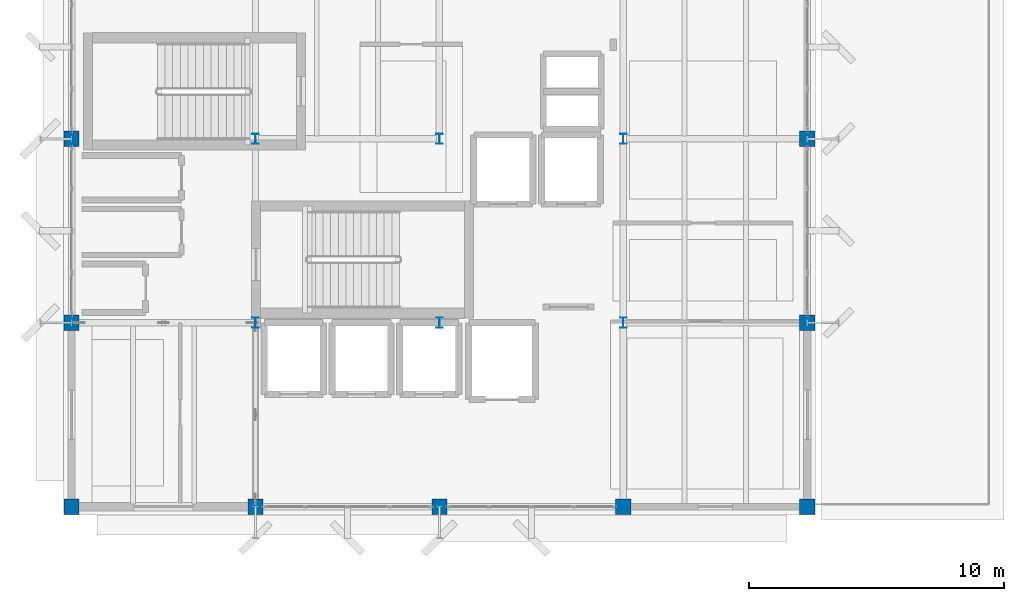
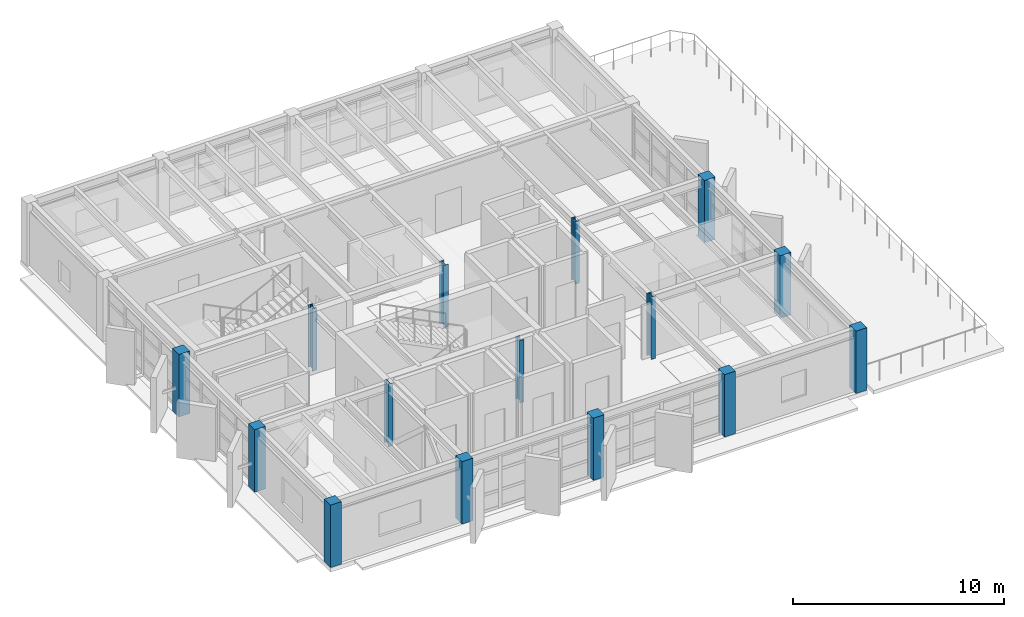
# One storey, part 1 of 19: 15 columns.
"""IFC4 building model written with IfcOpenShell, lengths in metres."""

from ifc_helpers import new_model, si_unit, direction, frame, origin, origin_2d, place, context, subcontext, project, spatial, rectangle, i_section, extrude, material, material_profile, profile_set, type_object, element, save


model = new_model("IFC4")

# Units and contexts
model_context = context("Model", 3, precision=1e-05, world=origin(), true_north=direction((0.0, 1.0)))
body_context = subcontext(model_context, "Body", "Model", "MODEL_VIEW")
ifc_project = project(units=[si_unit("LENGTHUNIT", "METRE"), si_unit("AREAUNIT", "SQUARE_METRE"), si_unit("VOLUMEUNIT", "CUBIC_METRE"), si_unit("PLANEANGLEUNIT", "RADIAN"), si_unit("MASSUNIT", "GRAM", prefix="KILO")], contexts=[model_context])

# Site, building, storey
site_placement = place(None, origin())
site = spatial("IfcSite", under=ifc_project, at=site_placement, CompositionType="ELEMENT")
building_placement = place(site_placement, origin())
building = spatial("IfcBuilding", under=site, at=building_placement, Name="Kandorven Conservatory and Botanical Research Centre", CompositionType="ELEMENT")
storey_placement = place(building_placement, frame((0.0, 0.0, 28.800048828125)))
storey = spatial("IfcBuildingStorey", under=building, at=storey_placement, Name="L07", CompositionType="ELEMENT", Elevation=28.800048828125)

# Columns
ifc_material_1 = material(Name="Steel S355 (IS 2062 E350)", Category="steel")
ifc_material_profile_1 = material_profile(ifc_material_1, i_section(OverallWidth=0.25, OverallDepth=0.39990234375, WebThickness=0.010498046875, FlangeThickness=0.0126953125, at=origin_2d()))
ifc_profile_set_1 = profile_set([ifc_material_profile_1], Name="Steel S355 (IS 2062 E350)")
column_type_1 = type_object("IfcColumnType", Name="Col_SC-02", PredefinedType="COLUMN", material=ifc_profile_set_1)
for number, where, z_axis, x_axis, name in (
    (1, (13.199951171875, 13.199951171875, 0.0), (0.0, 0.0, 1.0), (1.0, 0.0, 0.0), "Column SC-02 TWR L07 (2,2)"),
    (2, (13.199951171875, 20.39990234375, 0.0), (0.0, 0.0, 1.0), (1.0, 0.0, 0.0), "Column SC-02 TWR L07 (2,3)"),
    (3, (20.39990234375, 13.199951171875, 0.0), (0.0, 0.0, 1.0), (1.0, 0.0, 0.0), "Column SC-02 TWR L07 (3,2)"),
    (4, (20.39990234375, 20.39990234375, 0.0), (0.0, 0.0, 1.0), (1.0, 0.0, 0.0), "Column SC-02 TWR L07 (3,3)"),
    (5, (27.60009765625, 13.199951171875, 0.0), (0.0, 0.0, 1.0), (1.0, 0.0, 0.0), "Column SC-02 TWR L07 (4,2)"),
    (6, (27.60009765625, 20.39990234375, 0.0), (0.0, 0.0, 1.0), (1.0, 0.0, 0.0), "Column SC-02 TWR L07 (4,3)"),
):
    element("IfcColumn", number, at=place(storey_placement, frame(where, z_axis=z_axis, x_axis=x_axis)), inside=storey, type_object=column_type_1, Name=name, PredefinedType="COLUMN", context=body_context, shape_type="SweptSolid", body=[
        extrude(i_section(OverallWidth=0.25, OverallDepth=0.39990234375, WebThickness=0.010498046875, FlangeThickness=0.0126953125, at=origin_2d()), origin(), (0.0, 0.0, 1.0), 3.619873046875),
    ])
ifc_material_2 = material(Name="Concrete C40/50 (M50)", Category="concrete")
ifc_material_profile_2 = material_profile(ifc_material_2, rectangle(XDim=0.60009765625, YDim=0.60009765625, at=origin_2d()))
ifc_profile_set_2 = profile_set([ifc_material_profile_2], Name="Concrete C40/50 (M50)")
column_type_2 = type_object("IfcColumnType", Name="Col_TC-04", PredefinedType="COLUMN", material=ifc_profile_set_2)
for number, where, z_axis, x_axis, name in (
    (7, (6.0, 6.0, 0.0), (0.0, 0.0, 1.0), (1.0, 0.0, 0.0), "Column TC-04 TWR L07 (1,1)"),
    (8, (6.0, 13.199951171875, 0.0), (0.0, 0.0, 1.0), (1.0, 0.0, 0.0), "Column TC-04 TWR L07 (1,2)"),
    (9, (6.0, 20.39990234375, 0.0), (0.0, 0.0, 1.0), (1.0, 0.0, 0.0), "Column TC-04 TWR L07 (1,3)"),
    (10, (13.199951171875, 6.0, 0.0), (0.0, 0.0, 1.0), (1.0, 0.0, 0.0), "Column TC-04 TWR L07 (2,1)"),
    (11, (20.39990234375, 6.0, 0.0), (0.0, 0.0, 1.0), (1.0, 0.0, 0.0), "Column TC-04 TWR L07 (3,1)"),
    (12, (27.60009765625, 6.0, 0.0), (0.0, 0.0, 1.0), (1.0, 0.0, 0.0), "Column TC-04 TWR L07 (4,1)"),
    (13, (34.800048828125, 6.0, 0.0), (0.0, 0.0, 1.0), (1.0, 0.0, 0.0), "Column TC-04 TWR L07 (5,1)"),
    (14, (34.800048828125, 13.199951171875, 0.0), (0.0, 0.0, 1.0), (1.0, 0.0, 0.0), "Column TC-04 TWR L07 (5,2)"),
    (15, (34.800048828125, 20.39990234375, 0.0), (0.0, 0.0, 1.0), (1.0, 0.0, 0.0), "Column TC-04 TWR L07 (5,3)"),
):
    element("IfcColumn", number, at=place(storey_placement, frame(where, z_axis=z_axis, x_axis=x_axis)), inside=storey, type_object=column_type_2, Name=name, PredefinedType="COLUMN", context=body_context, shape_type="SweptSolid", body=[
        extrude(rectangle(XDim=0.60009765625, YDim=0.60009765625, at=origin_2d()), origin(), (0.0, 0.0, 1.0), 3.619873046875),
    ])

save(model, "model.ifc")
